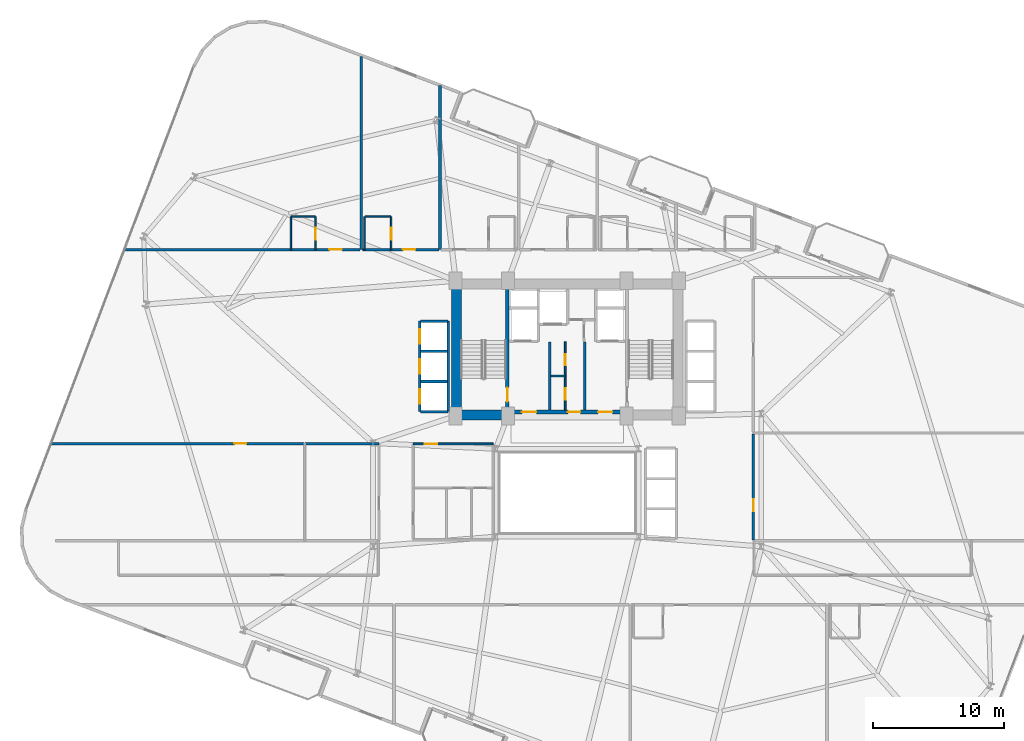
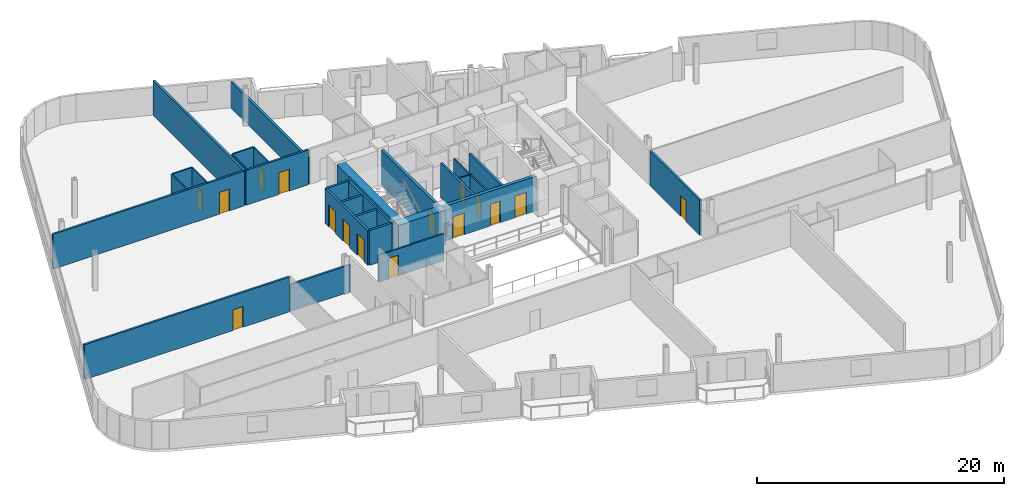
# One storey, part 18 of 24: 28 walls, 16 doors, 16 openings.
"""IFC4 building model written with IfcOpenShell, lengths in metres."""

from ifc_helpers import new_model, si_unit, direction, frame, frame_2d, origin, place, context, subcontext, project, spatial, rectangle, extrude, material, layer, layer_set, type_object, element, fill, save


model = new_model("IFC4")

# Units and contexts
model_context = context("Model", 3, precision=1e-05, world=origin(), true_north=direction((0.0, 1.0)))
body_context = subcontext(model_context, "Body", "Model", "MODEL_VIEW")
ifc_project = project(units=[si_unit("LENGTHUNIT", "METRE"), si_unit("AREAUNIT", "SQUARE_METRE"), si_unit("VOLUMEUNIT", "CUBIC_METRE"), si_unit("PLANEANGLEUNIT", "RADIAN"), si_unit("MASSUNIT", "GRAM", prefix="KILO")], contexts=[model_context])

# Site, building, storey
site_placement = place(None, origin())
site = spatial("IfcSite", under=ifc_project, at=site_placement, CompositionType="ELEMENT")
building_placement = place(site_placement, origin())
building = spatial("IfcBuilding", under=site, at=building_placement, Name="Varnelok Gate Tower", CompositionType="ELEMENT")
storey_placement = place(building_placement, frame((0.0, 0.0, 94.699951171875)))
storey = spatial("IfcBuildingStorey", under=building, at=storey_placement, Name="L23", CompositionType="ELEMENT", Elevation=94.699951171875)

# Wall, opening, door
ifc_material_1 = material(Name="Gypsum Plasterboard Acoustic Partition", Category="gypsum")
ifc_layer_1 = layer(ifc_material_1, 0.179931640625)
ifc_layer_set_1 = layer_set([ifc_layer_1], Name="Gypsum Plasterboard Acoustic Partition")
wall_type_1 = type_object("IfcWallType", Name="PW-CORR-180", PredefinedType="PARTITIONING", material=ifc_layer_set_1)
wall_1_placement = place(storey_placement, frame((5.505859375, 41.429931640625, 0.0), z_axis=(0.0, 0.0, 1.0), x_axis=(1.0, 0.0, 0.0)))
wall_1 = element("IfcWall", 1, at=wall_1_placement, inside=storey, type_object=wall_type_1, Name="Interior Partition", PredefinedType="PARTITIONING", context=body_context, shape_type="SweptSolid", body=[
    extrude(rectangle(XDim=17.9140625, YDim=0.179931640625, at=frame_2d((8.95703125, 0.0))), origin(), (0.0, 0.0, 1.0), 3.449951171875),
])
opening_1_placement = place(wall_1_placement, frame((15.564208984375, 0.0, 0.0)))
opening_1 = element("IfcOpeningElement", 2, at=opening_1_placement, cuts=wall_1, Name="Opening D-HT", PredefinedType="OPENING", context=body_context, shape_type="SweptSolid", body=[
    extrude(rectangle(XDim=0.949951171875, YDim=2.14990234375, at=frame_2d((0.47509765625, 1.074951171875))), frame((0.0, 0.099853515625, 0.0), z_axis=(0.0, -1.0, 0.0), x_axis=(1.0, 0.0, 0.0)), (0.0, 0.0, 1.0), 0.199951171875),
])
ifc_material_2 = material(Name="Engineered Hardwood Timber", Category="wood")
door_type_1 = type_object("IfcDoorType", Name="DR-HTL-950", OperationType="NOTDEFINED", PredefinedType="DOOR", material=ifc_material_2)
door_1_placement = place(opening_1_placement, origin())
door_1 = element("IfcDoor", 3, at=door_1_placement, inside=storey, type_object=door_type_1, Name="L23 Guest Room 05 Entrance Door", OperationType="SINGLE_SWING_RIGHT", OverallHeight=2.14990234375, OverallWidth=0.949951171875, PredefinedType="DOOR", context=body_context, shape_type="SweptSolid", body=[
    extrude(rectangle(XDim=0.949951171875, YDim=2.14990234375, at=frame_2d((0.47509765625, 1.074951171875))), frame((0.0, 0.02490234375, 0.0), z_axis=(0.0, -1.0, 0.0), x_axis=(1.0, 0.0, 0.0)), (0.0, 0.0, 1.0), 0.050048828125),
])
fill(opening_1, door_1)

wall_2_placement = place(storey_placement, frame((23.580078125, 41.429931640625, 0.0), z_axis=(0.0, 0.0, 1.0), x_axis=(1.0, 0.0, 0.0)))
wall_2 = element("IfcWall", 4, at=wall_2_placement, inside=storey, type_object=wall_type_1, Name="Interior Partition", PredefinedType="PARTITIONING", context=body_context, shape_type="SweptSolid", body=[
    extrude(rectangle(XDim=5.83984375, YDim=0.179931640625, at=frame_2d((2.919921875, 0.0))), origin(), (0.0, 0.0, 1.0), 3.449951171875),
])
opening_2_placement = place(wall_2_placement, frame((3.101318359375, 0.0, 0.0)))
opening_2 = element("IfcOpeningElement", 5, at=opening_2_placement, cuts=wall_2, Name="Opening D-HT", PredefinedType="OPENING", context=body_context, shape_type="SweptSolid", body=[
    extrude(rectangle(XDim=0.949951171875, YDim=2.14990234375, at=frame_2d((0.47509765625, 1.074951171875))), frame((0.0, 0.099853515625, 0.0), z_axis=(0.0, -1.0, 0.0), x_axis=(1.0, 0.0, 0.0)), (0.0, 0.0, 1.0), 0.199951171875),
])
door_2_placement = place(opening_2_placement, origin())
door_2 = element("IfcDoor", 6, at=door_2_placement, inside=storey, type_object=door_type_1, Name="L23 Guest Room 06 Entrance Door", OperationType="SINGLE_SWING_LEFT", OverallHeight=2.14990234375, OverallWidth=0.949951171875, PredefinedType="DOOR", context=body_context, shape_type="SweptSolid", body=[
    extrude(rectangle(XDim=0.949951171875, YDim=2.14990234375, at=frame_2d((0.47509765625, 1.074951171875))), frame((0.0, 0.02490234375, 0.0), z_axis=(0.0, -1.0, 0.0), x_axis=(1.0, 0.0, 0.0)), (0.0, 0.0, 1.0), 0.050048828125),
])
fill(opening_2, door_2)

wall_3_placement = place(storey_placement, frame((-0.093505859375, 26.639892578125, 0.0), z_axis=(0.0, 0.0, 1.0), x_axis=(1.0, 0.0, 0.0)))
wall_3 = element("IfcWall", 7, at=wall_3_placement, inside=storey, type_object=wall_type_1, Name="Interior Partition", PredefinedType="PARTITIONING", context=body_context, shape_type="SweptSolid", body=[
    extrude(rectangle(XDim=19.213623046875, YDim=0.179931640625, at=frame_2d((9.60693359375, 0.0))), origin(), (0.0, 0.0, 1.0), 3.449951171875),
])
opening_3_placement = place(wall_3_placement, frame((13.922607421875, 0.0, 0.0)))
opening_3 = element("IfcOpeningElement", 8, at=opening_3_placement, cuts=wall_3, Name="Opening D-I3", PredefinedType="OPENING", context=body_context, shape_type="SweptSolid", body=[
    extrude(rectangle(XDim=0.919921875, YDim=2.050048828125, at=frame_2d((0.4599609375, 1.02490234375))), frame((0.0, 0.099853515625, 0.0), z_axis=(0.0, -1.0, 0.0), x_axis=(1.0, 0.0, 0.0)), (0.0, 0.0, 1.0), 0.199951171875),
])
door_type_2 = type_object("IfcDoorType", Name="DR-INT-920", OperationType="NOTDEFINED", PredefinedType="DOOR", material=ifc_material_2)
door_3_placement = place(opening_3_placement, origin())
door_3 = element("IfcDoor", 9, at=door_3_placement, inside=storey, type_object=door_type_2, Name="L23 West Treatment Door", OperationType="SINGLE_SWING_RIGHT", OverallHeight=2.050048828125, OverallWidth=0.919921875, PredefinedType="DOOR", context=body_context, shape_type="SweptSolid", body=[
    extrude(rectangle(XDim=0.919921875, YDim=2.050048828125, at=frame_2d((0.4599609375, 1.02490234375))), frame((0.0, 0.02490234375, 0.0), z_axis=(0.0, -1.0, 0.0), x_axis=(1.0, 0.0, 0.0)), (0.0, 0.0, 1.0), 0.050048828125),
])
fill(opening_3, door_3)

# Wall
wall_4_placement = place(storey_placement, frame((19.199951171875, 26.639892578125, 0.0), z_axis=(0.0, 0.0, 1.0), x_axis=(1.0, 0.0, 0.0)))
element("IfcWall", 10, at=wall_4_placement, inside=storey, type_object=wall_type_1, Name="Interior Partition", PredefinedType="PARTITIONING", context=body_context, shape_type="SweptSolid", body=[
    extrude(rectangle(XDim=5.650146484375, YDim=0.179931640625, at=frame_2d((2.8251953125, 0.0))), origin(), (0.0, 0.0, 1.0), 2.662109375),
])

# Wall, opening, door
wall_5_placement = place(storey_placement, frame((53.389892578125, 19.300048828125, 0.0), z_axis=(0.0, 0.0, 1.0), x_axis=(0.0, 1.0, 0.0)))
wall_5 = element("IfcWall", 11, at=wall_5_placement, inside=storey, type_object=wall_type_1, Name="Interior Partition", PredefinedType="PARTITIONING", context=body_context, shape_type="SweptSolid", body=[
    extrude(rectangle(XDim=8.070068359375, YDim=0.179931640625, at=frame_2d((4.03515625, 0.0))), origin(), (0.0, 0.0, 1.0), 3.449951171875),
])
opening_4_placement = place(wall_5_placement, frame((2.199951171875, 0.0, 0.0)))
opening_4 = element("IfcOpeningElement", 12, at=opening_4_placement, cuts=wall_5, Name="Opening D-I3", PredefinedType="OPENING", context=body_context, shape_type="SweptSolid", body=[
    extrude(rectangle(XDim=0.919921875, YDim=2.050048828125, at=frame_2d((0.4599609375, 1.02490234375))), frame((0.0, 0.099853515625, 0.0), z_axis=(0.0, -1.0, 0.0), x_axis=(1.0, 0.0, 0.0)), (0.0, 0.0, 1.0), 0.199951171875),
])
door_4_placement = place(opening_4_placement, origin())
door_4 = element("IfcDoor", 13, at=door_4_placement, inside=storey, type_object=door_type_2, Name="L23 East Suite 1 Door", OperationType="SINGLE_SWING_LEFT", OverallHeight=2.050048828125, OverallWidth=0.919921875, PredefinedType="DOOR", context=body_context, shape_type="SweptSolid", body=[
    extrude(rectangle(XDim=0.919921875, YDim=2.050048828125, at=frame_2d((0.4599609375, 1.02490234375))), frame((0.0, 0.02490234375, 0.0), z_axis=(0.0, -1.0, 0.0), x_axis=(1.0, 0.0, 0.0)), (0.0, 0.0, 1.0), 0.050048828125),
])
fill(opening_4, door_4)

# Wall
ifc_layer_2 = layer(ifc_material_1, 0.114990234375)
ifc_layer_set_2 = layer_set([ifc_layer_2], Name="Gypsum Plasterboard Acoustic Partition")
wall_type_2 = type_object("IfcWallType", Name="PW-ENS-125", PredefinedType="PARTITIONING", material=ifc_layer_set_2)
wall_6_placement = place(storey_placement, frame((18.179931640625, 43.949951171875, 0.0), z_axis=(0.0, 0.0, 1.0), x_axis=(1.0, 0.0, 0.0)))
element("IfcWall", 14, at=wall_6_placement, inside=storey, type_object=wall_type_2, Name="Interior Partition", PredefinedType="PARTITIONING", context=body_context, shape_type="SweptSolid", body=[
    extrude(rectangle(XDim=1.807373046875, YDim=0.114990234375, at=frame_2d((0.90380859375, 0.0))), origin(), (0.0, 0.0, 1.0), 3.449951171875),
])

# Wall, opening, door
wall_7_placement = place(storey_placement, frame((20.027099609375, 41.429931640625, 0.0), z_axis=(0.0, 0.0, 1.0), x_axis=(0.0, 1.0, 0.0)))
wall_7 = element("IfcWall", 15, at=wall_7_placement, inside=storey, type_object=wall_type_2, Name="Interior Partition", PredefinedType="PARTITIONING", context=body_context, shape_type="SweptSolid", body=[
    extrude(rectangle(XDim=2.52001953125, YDim=0.114990234375, at=frame_2d((1.260009765625, 0.0))), origin(), (0.0, 0.0, 1.0), 3.449951171875),
])
opening_5_placement = place(wall_7_placement, frame((0.760009765625, 0.0, 0.0)))
opening_5 = element("IfcOpeningElement", 16, at=opening_5_placement, cuts=wall_7, Name="Opening D-WC", PredefinedType="OPENING", context=body_context, shape_type="SweptSolid", body=[
    extrude(rectangle(XDim=0.89990234375, YDim=2.050048828125, at=frame_2d((0.449951171875, 1.02490234375))), frame((0.0, 0.0673828125, 0.0), z_axis=(0.0, -1.0, 0.0), x_axis=(1.0, 0.0, 0.0)), (0.0, 0.0, 1.0), 0.135009765625),
])
door_type_3 = type_object("IfcDoorType", Name="DR-BATH-900", OperationType="NOTDEFINED", PredefinedType="DOOR", material=ifc_material_2)
door_5_placement = place(opening_5_placement, origin())
door_5 = element("IfcDoor", 17, at=door_5_placement, inside=storey, type_object=door_type_3, Name="L23 North En-Suite 05 Door", OperationType="SINGLE_SWING_RIGHT", OverallHeight=2.050048828125, OverallWidth=0.89990234375, PredefinedType="DOOR", context=body_context, shape_type="SweptSolid", body=[
    extrude(rectangle(XDim=0.89990234375, YDim=2.050048828125, at=frame_2d((0.449951171875, 1.02490234375))), frame((0.0, 0.02490234375, 0.0), z_axis=(0.0, -1.0, 0.0), x_axis=(1.0, 0.0, 0.0)), (0.0, 0.0, 1.0), 0.050048828125),
])
fill(opening_5, door_5)

# Walls
wall_8_placement = place(storey_placement, frame((18.139892578125, 41.429931640625, 0.0), z_axis=(0.0, 0.0, 1.0), x_axis=(0.0, 1.0, 0.0)))
element("IfcWall", 18, at=wall_8_placement, inside=storey, type_object=wall_type_2, Name="Interior Partition", PredefinedType="PARTITIONING", context=body_context, shape_type="SweptSolid", body=[
    extrude(rectangle(XDim=2.52001953125, YDim=0.114990234375, at=frame_2d((1.260009765625, 0.0))), origin(), (0.0, 0.0, 1.0), 3.449951171875),
])
wall_9_placement = place(storey_placement, frame((23.800048828125, 43.949951171875, 0.0), z_axis=(0.0, 0.0, 1.0), x_axis=(1.0, 0.0, 0.0)))
element("IfcWall", 19, at=wall_9_placement, inside=storey, type_object=wall_type_2, Name="Interior Partition", PredefinedType="PARTITIONING", context=body_context, shape_type="SweptSolid", body=[
    extrude(rectangle(XDim=1.94384765625, YDim=0.114990234375, at=frame_2d((0.971923828125, 0.0))), origin(), (0.0, 0.0, 1.0), 3.449951171875),
])

# Wall, opening, door
wall_10_placement = place(storey_placement, frame((25.783935546875, 41.429931640625, 0.0), z_axis=(0.0, 0.0, 1.0), x_axis=(0.0, 1.0, 0.0)))
wall_10 = element("IfcWall", 20, at=wall_10_placement, inside=storey, type_object=wall_type_2, Name="Interior Partition", PredefinedType="PARTITIONING", context=body_context, shape_type="SweptSolid", body=[
    extrude(rectangle(XDim=2.52001953125, YDim=0.114990234375, at=frame_2d((1.260009765625, 0.0))), origin(), (0.0, 0.0, 1.0), 3.449951171875),
])
opening_6_placement = place(wall_10_placement, frame((0.760009765625, 0.0, 0.0)))
opening_6 = element("IfcOpeningElement", 21, at=opening_6_placement, cuts=wall_10, Name="Opening D-WC", PredefinedType="OPENING", context=body_context, shape_type="SweptSolid", body=[
    extrude(rectangle(XDim=0.89990234375, YDim=2.050048828125, at=frame_2d((0.449951171875, 1.02490234375))), frame((0.0, 0.0673828125, 0.0), z_axis=(0.0, -1.0, 0.0), x_axis=(1.0, 0.0, 0.0)), (0.0, 0.0, 1.0), 0.135009765625),
])
door_6_placement = place(opening_6_placement, origin())
door_6 = element("IfcDoor", 22, at=door_6_placement, inside=storey, type_object=door_type_3, Name="L23 North En-Suite 06 Door", OperationType="SINGLE_SWING_RIGHT", OverallHeight=2.050048828125, OverallWidth=0.89990234375, PredefinedType="DOOR", context=body_context, shape_type="SweptSolid", body=[
    extrude(rectangle(XDim=0.89990234375, YDim=2.050048828125, at=frame_2d((0.449951171875, 1.02490234375))), frame((0.0, 0.02490234375, 0.0), z_axis=(0.0, -1.0, 0.0), x_axis=(1.0, 0.0, 0.0)), (0.0, 0.0, 1.0), 0.050048828125),
])
fill(opening_6, door_6)

# Walls
wall_11_placement = place(storey_placement, frame((23.760009765625, 41.429931640625, 0.0), z_axis=(0.0, 0.0, 1.0), x_axis=(0.0, 1.0, 0.0)))
element("IfcWall", 23, at=wall_11_placement, inside=storey, type_object=wall_type_2, Name="Interior Partition", PredefinedType="PARTITIONING", context=body_context, shape_type="SweptSolid", body=[
    extrude(rectangle(XDim=2.52001953125, YDim=0.114990234375, at=frame_2d((1.260009765625, 0.0))), origin(), (0.0, 0.0, 1.0), 3.449951171875),
])
ifc_layer_3 = layer(ifc_material_1, 0.125)
ifc_layer_set_3 = layer_set([ifc_layer_3], Name="Gypsum Plasterboard Acoustic Partition")
wall_type_3 = type_object("IfcWallType", Name="PW-PART-125", PredefinedType="PARTITIONING", material=ifc_layer_set_3)
wall_12_placement = place(storey_placement, frame((37.9599609375, 31.800048828125, 0.0), z_axis=(0.0, 0.0, 1.0), x_axis=(1.0, 0.0, 0.0)))
element("IfcWall", 24, at=wall_12_placement, inside=storey, type_object=wall_type_3, Name="Interior Partition", PredefinedType="PARTITIONING", context=body_context, shape_type="SweptSolid", body=[
    extrude(rectangle(XDim=1.090087890625, YDim=0.125, at=frame_2d((0.544921875, 0.0))), origin(), (0.0, 0.0, 1.0), 3.449951171875),
])

# Wall, openings, doors
wall_13_placement = place(storey_placement, frame((39.050048828125, 29.199951171875, 0.0), z_axis=(0.0, 0.0, 1.0), x_axis=(0.0, 1.0, 0.0)))
wall_13 = element("IfcWall", 25, at=wall_13_placement, inside=storey, type_object=wall_type_3, Name="Interior Partition", PredefinedType="PARTITIONING", context=body_context, shape_type="SweptSolid", body=[
    extrude(rectangle(XDim=5.219970703125, YDim=0.125, at=frame_2d((2.60986328125, 0.0))), origin(), (0.0, 0.0, 1.0), 3.449951171875),
])
opening_7_placement = place(wall_13_placement, frame((0.800048828125, 0.0, 0.0)))
opening_7 = element("IfcOpeningElement", 26, at=opening_7_placement, cuts=wall_13, Name="Opening D-RS", PredefinedType="OPENING", context=body_context, shape_type="SweptSolid", body=[
    extrude(rectangle(XDim=0.85009765625, YDim=2.050048828125, at=frame_2d((0.425048828125, 1.02490234375))), frame((0.0, 0.072509765625, 0.0), z_axis=(0.0, -1.0, 0.0), x_axis=(1.0, 0.0, 0.0)), (0.0, 0.0, 1.0), 0.14501953125),
])
opening_8_placement = place(wall_13_placement, frame((3.39990234375, 0.0, 0.0)))
opening_8 = element("IfcOpeningElement", 27, at=opening_8_placement, cuts=wall_13, Name="Opening D-RS", PredefinedType="OPENING", context=body_context, shape_type="SweptSolid", body=[
    extrude(rectangle(XDim=0.85009765625, YDim=2.050048828125, at=frame_2d((0.425048828125, 1.02490234375))), frame((0.0, 0.072509765625, 0.0), z_axis=(0.0, -1.0, 0.0), x_axis=(1.0, 0.0, 0.0)), (0.0, 0.0, 1.0), 0.14501953125),
])
ifc_material_3 = material(Name="Galvanized Steel Grade S350GD", Category="steel")
door_type_4 = type_object("IfcDoorType", Name="DR-RISER-850", OperationType="NOTDEFINED", PredefinedType="DOOR", material=ifc_material_3)
door_7_placement = place(opening_7_placement, origin())
door_7 = element("IfcDoor", 28, at=door_7_placement, inside=storey, type_object=door_type_4, Name="L23 Housekeeping Linen Door", OperationType="SINGLE_SWING_LEFT", OverallHeight=2.050048828125, OverallWidth=0.85009765625, PredefinedType="DOOR", context=body_context, shape_type="SweptSolid", body=[
    extrude(rectangle(XDim=0.85009765625, YDim=2.050048828125, at=frame_2d((0.425048828125, 1.02490234375))), frame((0.0, 0.02490234375, 0.0), z_axis=(0.0, -1.0, 0.0), x_axis=(1.0, 0.0, 0.0)), (0.0, 0.0, 1.0), 0.050048828125),
])
fill(opening_7, door_7)
door_8_placement = place(opening_8_placement, origin())
door_8 = element("IfcDoor", 29, at=door_8_placement, inside=storey, type_object=door_type_4, Name="L23 Janitor Sink Door", OperationType="SINGLE_SWING_RIGHT", OverallHeight=2.050048828125, OverallWidth=0.85009765625, PredefinedType="DOOR", context=body_context, shape_type="SweptSolid", body=[
    extrude(rectangle(XDim=0.85009765625, YDim=2.050048828125, at=frame_2d((0.425048828125, 1.02490234375))), frame((0.0, 0.02490234375, 0.0), z_axis=(0.0, -1.0, 0.0), x_axis=(1.0, 0.0, 0.0)), (0.0, 0.0, 1.0), 0.050048828125),
])
fill(opening_8, door_8)

# Wall, opening, door
ifc_layer_4 = layer(ifc_material_1, 0.14990234375)
ifc_layer_set_4 = layer_set([ifc_layer_4], Name="Gypsum Plasterboard Acoustic Partition")
wall_type_4 = type_object("IfcWallType", Name="PW-PART-150", PredefinedType="PARTITIONING", material=ifc_layer_set_4)
wall_14_placement = place(storey_placement, frame((27.4599609375, 26.6201171875, 0.0), z_axis=(0.0, 0.0, 1.0), x_axis=(1.0, 0.0, 0.0)))
wall_14 = element("IfcWall", 30, at=wall_14_placement, inside=storey, type_object=wall_type_4, Name="Interior Partition", PredefinedType="PARTITIONING", context=body_context, shape_type="SweptSolid", body=[
    extrude(rectangle(XDim=6.10009765625, YDim=0.14990234375, at=frame_2d((3.050048828125, 0.0))), origin(), (0.0, 0.0, 1.0), 2.662109375),
])
opening_9_placement = place(wall_14_placement, frame((0.8896484375, 0.0, 0.0)))
opening_9 = element("IfcOpeningElement", 31, at=opening_9_placement, cuts=wall_14, Name="Opening D-I2", PredefinedType="OPENING", context=body_context, shape_type="SweptSolid", body=[
    extrude(rectangle(XDim=0.949951171875, YDim=2.050048828125, at=frame_2d((0.47509765625, 1.02490234375))), frame((0.0, 0.0849609375, 0.0), z_axis=(0.0, -1.0, 0.0), x_axis=(1.0, 0.0, 0.0)), (0.0, 0.0, 1.0), 0.169921875),
])
door_type_5 = type_object("IfcDoorType", Name="DR-INT-950", OperationType="NOTDEFINED", PredefinedType="DOOR", material=ifc_material_2)
door_9_placement = place(opening_9_placement, origin())
door_9 = element("IfcDoor", 32, at=door_9_placement, inside=storey, type_object=door_type_5, Name="L23 Children Playroom Door", OperationType="SINGLE_SWING_LEFT", OverallHeight=2.050048828125, OverallWidth=0.949951171875, PredefinedType="DOOR", context=body_context, shape_type="SweptSolid", body=[
    extrude(rectangle(XDim=0.949951171875, YDim=2.050048828125, at=frame_2d((0.47509765625, 1.02490234375))), frame((0.0, 0.02490234375, 0.0), z_axis=(0.0, -1.0, 0.0), x_axis=(1.0, 0.0, 0.0)), (0.0, 0.0, 1.0), 0.050048828125),
])
fill(opening_9, door_9)

# Walls
ifc_layer_5 = layer(ifc_material_1, 0.205078125)
ifc_layer_set_5 = layer_set([ifc_layer_5], Name="Gypsum Plasterboard Acoustic Partition")
wall_type_5 = type_object("IfcWallType", Name="PW-PARTY-200", PredefinedType="PARTITIONING", material=ifc_layer_set_5)
wall_15_placement = place(storey_placement, frame((23.5, 41.429931640625, 0.0), z_axis=(0.0, 0.0, 1.0), x_axis=(0.0, 1.0, 0.0)))
element("IfcWall", 33, at=wall_15_placement, inside=storey, type_object=wall_type_5, Name="L23 North Party Wall 1", PredefinedType="PARTITIONING", context=body_context, shape_type="SweptSolid", body=[
    extrude(rectangle(XDim=14.708251953125, YDim=0.205078125, at=frame_2d((7.35400390625, 0.0))), origin(), (0.0, 0.0, 1.0), 3.449951171875),
])
wall_16_placement = place(storey_placement, frame((29.5, 41.429931640625, 0.0), z_axis=(0.0, 0.0, 1.0), x_axis=(0.0, 1.0, 0.0)))
element("IfcWall", 34, at=wall_16_placement, inside=storey, type_object=wall_type_5, Name="L23 North Party Wall 2", PredefinedType="PARTITIONING", context=body_context, shape_type="SweptSolid", body=[
    extrude(rectangle(XDim=12.520263671875, YDim=0.205078125, at=frame_2d((6.26025390625, 0.0))), origin(), (0.0, 0.0, 1.0), 2.580078125),
])
ifc_material_4 = material(Name="Concrete C35/45", Category="concrete")
ifc_layer_6 = layer(ifc_material_4, 0.199951171875)
ifc_layer_set_6 = layer_set([ifc_layer_6], Name="Concrete C35/45")
wall_type_6 = type_object("IfcWallType", Name="PW-SHAFT-200", PredefinedType="PARTITIONING", material=ifc_layer_set_6)
for number, where, z_axis, x_axis, name in (
    (35, (37.860107421875, 29.199951171875, 0.0), (0.0, 0.0, 1.0), (0.0, 1.0, 0.0), "L23 West FF Lobby Rated Wall"),
    (36, (40.5400390625, 29.199951171875, 0.0), (0.0, 0.0, 1.0), (0.0, 1.0, 0.0), "L23 East FF Lobby Rated Wall"),
):
    element("IfcWall", number, at=place(storey_placement, frame(where, z_axis=z_axis, x_axis=x_axis)), inside=storey, type_object=wall_type_6, Name=name, PredefinedType="PARTITIONING", context=body_context, shape_type="SweptSolid", body=[
        extrude(rectangle(XDim=5.179931640625, YDim=0.199951171875, at=frame_2d((2.58984375, 0.0))), origin(), (0.0, 0.0, 1.0), 3.449951171875),
    ])
for number, where, z_axis, x_axis, name in (
    (37, (28.02001953125, 31.375, 0.0), (0.0, 0.0, 1.0), (1.0, 0.0, 0.0), "L23 PL1 Divider"),
    (38, (28.02001953125, 33.675048828125, 0.0), (0.0, 0.0, 1.0), (1.0, 0.0, 0.0), "L23 PL2 Divider"),
):
    element("IfcWall", number, at=place(storey_placement, frame(where, z_axis=z_axis, x_axis=x_axis)), inside=storey, type_object=wall_type_6, Name=name, PredefinedType="PARTITIONING", context=body_context, shape_type="SweptSolid", body=[
        extrude(rectangle(XDim=2.06005859375, YDim=0.199951171875, at=frame_2d((1.030029296875, 0.0))), origin(), (0.0, 0.0, 1.0), 3.449951171875),
    ])
for number, where, z_axis, x_axis, name in (
    (39, (28.0, 29.080078125, 0.0), (0.0, 0.0, 1.0), (1.0, 0.0, 0.0), "L23 PL Bank South Wall"),
    (40, (28.0, 35.969970703125, 0.0), (0.0, 0.0, 1.0), (1.0, 0.0, 0.0), "L23 PL Bank North Wall"),
):
    element("IfcWall", number, at=place(storey_placement, frame(where, z_axis=z_axis, x_axis=x_axis)), inside=storey, type_object=wall_type_6, Name=name, PredefinedType="PARTITIONING", context=body_context, shape_type="SweptSolid", body=[
        extrude(rectangle(XDim=2.10009765625, YDim=0.199951171875, at=frame_2d((1.050048828125, 0.0))), origin(), (0.0, 0.0, 1.0), 3.449951171875),
    ])
wall_17_placement = place(storey_placement, frame((30.1201171875, 29.080078125, 0.0), z_axis=(0.0, 0.0, 1.0), x_axis=(0.0, 1.0, 0.0)))
element("IfcWall", 41, at=wall_17_placement, inside=storey, type_object=wall_type_6, Name="L23 PL Bank Back Wall", PredefinedType="PARTITIONING", context=body_context, shape_type="SweptSolid", body=[
    extrude(rectangle(XDim=6.889892578125, YDim=0.199951171875, at=frame_2d((3.44482421875, 0.0))), origin(), (0.0, 0.0, 1.0), 3.449951171875),
])

# Wall, openings, doors
wall_18_placement = place(storey_placement, frame((27.9599609375, 29.080078125, 0.0), z_axis=(0.0, 0.0, 1.0), x_axis=(0.0, 1.0, 0.0)))
wall_18 = element("IfcWall", 42, at=wall_18_placement, inside=storey, type_object=wall_type_6, Name="L23 PL Bank Front Wall", PredefinedType="PARTITIONING", context=body_context, shape_type="SweptSolid", body=[
    extrude(rectangle(XDim=6.889892578125, YDim=0.199951171875, at=frame_2d((3.44482421875, 0.0))), origin(), (0.0, 0.0, 1.0), 3.449951171875),
])
opening_10_placement = place(wall_18_placement, frame((0.590087890625, 0.0, 0.0)))
opening_10 = element("IfcOpeningElement", 43, at=opening_10_placement, cuts=wall_18, Name="Opening LD-PL1", PredefinedType="OPENING", context=body_context, shape_type="SweptSolid", body=[
    extrude(rectangle(XDim=1.10009765625, YDim=2.14990234375, at=frame_2d((0.550048828125, 1.074951171875))), frame((0.0, 0.10986328125, 0.0), z_axis=(0.0, -1.0, 0.0), x_axis=(1.0, 0.0, 0.0)), (0.0, 0.0, 1.0), 0.219970703125),
])
opening_11_placement = place(wall_18_placement, frame((2.889892578125, 0.0, 0.0)))
opening_11 = element("IfcOpeningElement", 44, at=opening_11_placement, cuts=wall_18, Name="Opening LD-PL2", PredefinedType="OPENING", context=body_context, shape_type="SweptSolid", body=[
    extrude(rectangle(XDim=1.10009765625, YDim=2.14990234375, at=frame_2d((0.550048828125, 1.074951171875))), frame((0.0, 0.10986328125, 0.0), z_axis=(0.0, -1.0, 0.0), x_axis=(1.0, 0.0, 0.0)), (0.0, 0.0, 1.0), 0.219970703125),
])
opening_12_placement = place(wall_18_placement, frame((5.18994140625, 0.0, 0.0)))
opening_12 = element("IfcOpeningElement", 45, at=opening_12_placement, cuts=wall_18, Name="Opening LD-PL3", PredefinedType="OPENING", context=body_context, shape_type="SweptSolid", body=[
    extrude(rectangle(XDim=1.10009765625, YDim=2.14990234375, at=frame_2d((0.550048828125, 1.074951171875))), frame((0.0, 0.10986328125, 0.0), z_axis=(0.0, -1.0, 0.0), x_axis=(1.0, 0.0, 0.0)), (0.0, 0.0, 1.0), 0.219970703125),
])
door_type_6 = type_object("IfcDoorType", Name="DR-LIFT-PAX1100", OperationType="SLIDING_TO_LEFT", PredefinedType="DOOR", material=ifc_material_3)
door_10_placement = place(opening_10_placement, origin())
door_10 = element("IfcDoor", 46, at=door_10_placement, inside=storey, type_object=door_type_6, Name="L23 Passenger Lift Landing Door LD-PL1", OperationType="SLIDING_TO_LEFT", OverallHeight=2.14990234375, OverallWidth=1.10009765625, PredefinedType="DOOR", context=body_context, shape_type="SweptSolid", body=[
    extrude(rectangle(XDim=1.10009765625, YDim=2.14990234375, at=frame_2d((0.550048828125, 1.074951171875))), frame((0.0, 0.02490234375, 0.0), z_axis=(0.0, -1.0, 0.0), x_axis=(1.0, 0.0, 0.0)), (0.0, 0.0, 1.0), 0.050048828125),
])
fill(opening_10, door_10)
door_11_placement = place(opening_11_placement, origin())
door_11 = element("IfcDoor", 47, at=door_11_placement, inside=storey, type_object=door_type_6, Name="L23 Passenger Lift Landing Door LD-PL2", OperationType="SLIDING_TO_LEFT", OverallHeight=2.14990234375, OverallWidth=1.10009765625, PredefinedType="DOOR", context=body_context, shape_type="SweptSolid", body=[
    extrude(rectangle(XDim=1.10009765625, YDim=2.14990234375, at=frame_2d((0.550048828125, 1.074951171875))), frame((0.0, 0.02490234375, 0.0), z_axis=(0.0, -1.0, 0.0), x_axis=(1.0, 0.0, 0.0)), (0.0, 0.0, 1.0), 0.050048828125),
])
fill(opening_11, door_11)
door_12_placement = place(opening_12_placement, origin())
door_12 = element("IfcDoor", 48, at=door_12_placement, inside=storey, type_object=door_type_6, Name="L23 Passenger Lift Landing Door LD-PL3", OperationType="SLIDING_TO_LEFT", OverallHeight=2.14990234375, OverallWidth=1.10009765625, PredefinedType="DOOR", context=body_context, shape_type="SweptSolid", body=[
    extrude(rectangle(XDim=1.10009765625, YDim=2.14990234375, at=frame_2d((0.550048828125, 1.074951171875))), frame((0.0, 0.02490234375, 0.0), z_axis=(0.0, -1.0, 0.0), x_axis=(1.0, 0.0, 0.0)), (0.0, 0.0, 1.0), 0.050048828125),
])
fill(opening_12, door_12)

# Walls
ifc_material_5 = material(Name="Concrete C70/85", Category="concrete")
ifc_layer_7 = layer(ifc_material_5, 0.75)
ifc_layer_set_7 = layer_set([ifc_layer_7], Name="Concrete C70/85")
wall_type_7 = type_object("IfcWallType", Name="SW-CORE-750", PredefinedType="SHEAR", material=ifc_layer_set_7)
wall_19_placement = place(storey_placement, frame((30.7548828125, 29.199951171875, 0.0), z_axis=(0.0, 0.0, 1.0), x_axis=(0.0, 1.0, 0.0)))
element("IfcWall", 49, at=wall_19_placement, inside=storey, type_object=wall_type_7, Name="L23 Rear Core West Shear Wall", PredefinedType="SHEAR", context=body_context, shape_type="SweptSolid", body=[
    extrude(rectangle(XDim=9.219970703125, YDim=0.75, at=frame_2d((4.60986328125, 0.0))), origin(), (0.0, 0.0, 1.0), 3.449951171875),
])
wall_20_placement = place(storey_placement, frame((30.3798828125, 28.824951171875, 0.0), z_axis=(0.0, 0.0, 1.0), x_axis=(1.0, 0.0, 0.0)))
element("IfcWall", 50, at=wall_20_placement, inside=storey, type_object=wall_type_7, Name="L23 Rear Core South-West Shear Wall", PredefinedType="SHEAR", context=body_context, shape_type="SweptSolid", body=[
    extrude(rectangle(XDim=4.420166015625, YDim=0.75, at=frame_2d((2.2099609375, 0.0))), origin(), (0.0, 0.0, 1.0), 3.449951171875),
])

# Wall, opening, door
ifc_material_6 = material(Name="Concrete C60/75", Category="concrete")
ifc_layer_8 = layer(ifc_material_6, 0.25)
ifc_layer_set_8 = layer_set([ifc_layer_8], Name="Concrete C60/75")
wall_type_8 = type_object("IfcWallType", Name="SW-SHAFT-250", PredefinedType="SHEAR", material=ifc_layer_set_8)
wall_21_placement = place(storey_placement, frame((34.639892578125, 29.199951171875, 0.0), z_axis=(0.0, 0.0, 1.0), x_axis=(0.0, 1.0, 0.0)))
wall_21 = element("IfcWall", 51, at=wall_21_placement, inside=storey, type_object=wall_type_8, Name="L23 Stair ST-1 East Shear Wall", PredefinedType="SHEAR", context=body_context, shape_type="SweptSolid", body=[
    extrude(rectangle(XDim=9.219970703125, YDim=0.25, at=frame_2d((4.60986328125, 0.0))), origin(), (0.0, 0.0, 1.0), 3.449951171875),
])
opening_13_placement = place(wall_21_placement, frame((0.64990234375, 0.0, 0.0)))
opening_13 = element("IfcOpeningElement", 52, at=opening_13_placement, cuts=wall_21, Name="Opening D-ST", PredefinedType="OPENING", context=body_context, shape_type="SweptSolid", body=[
    extrude(rectangle(XDim=1.050048828125, YDim=2.14990234375, at=frame_2d((0.52490234375, 1.074951171875))), frame((0.0, 0.135009765625, 0.0), z_axis=(0.0, -1.0, 0.0), x_axis=(1.0, 0.0, 0.0)), (0.0, 0.0, 1.0), 0.27001953125),
])
door_type_7 = type_object("IfcDoorType", Name="DR-STAIR-1050", OperationType="NOTDEFINED", PredefinedType="DOOR", material=ifc_material_3)
door_13_placement = place(opening_13_placement, origin())
door_13 = element("IfcDoor", 53, at=door_13_placement, inside=storey, type_object=door_type_7, Name="L23 Exit Stair ST-1 Fire Door", OperationType="SINGLE_SWING_LEFT", OverallHeight=2.14990234375, OverallWidth=1.050048828125, PredefinedType="DOOR", context=body_context, shape_type="SweptSolid", body=[
    extrude(rectangle(XDim=1.050048828125, YDim=2.14990234375, at=frame_2d((0.52490234375, 1.074951171875))), frame((0.0, 0.02490234375, 0.0), z_axis=(0.0, -1.0, 0.0), x_axis=(1.0, 0.0, 0.0)), (0.0, 0.0, 1.0), 0.050048828125),
])
fill(opening_13, door_13)

# Wall, openings, doors
ifc_layer_9 = layer(ifc_material_6, 0.300048828125)
ifc_layer_set_9 = layer_set([ifc_layer_9], Name="Concrete C60/75")
wall_type_9 = type_object("IfcWallType", Name="SW-SHAFT-300", PredefinedType="SHEAR", material=ifc_layer_set_9)
wall_22_placement = place(storey_placement, frame((34.800048828125, 29.050048828125, 0.0), z_axis=(0.0, 0.0, 1.0), x_axis=(1.0, 0.0, 0.0)))
wall_22 = element("IfcWall", 54, at=wall_22_placement, inside=storey, type_object=wall_type_9, Name="L23 Rear Core Central Lobby Shear Wall", PredefinedType="SHEAR", context=body_context, shape_type="SweptSolid", body=[
    extrude(rectangle(XDim=8.800048828125, YDim=0.300048828125, at=frame_2d((4.39990234375, 0.0))), origin(), (0.0, 0.0, 1.0), 3.449951171875),
])
opening_14_placement = place(wall_22_placement, frame((0.949951171875, 0.0, 0.0)))
opening_14 = element("IfcOpeningElement", 55, at=opening_14_placement, cuts=wall_22, Name="Opening D-FF", PredefinedType="OPENING", context=body_context, shape_type="SweptSolid", body=[
    extrude(rectangle(XDim=1.10009765625, YDim=2.14990234375, at=frame_2d((0.550048828125, 1.074951171875))), frame((0.0, 0.159912109375, 0.0), z_axis=(0.0, -1.0, 0.0), x_axis=(1.0, 0.0, 0.0)), (0.0, 0.0, 1.0), 0.320068359375),
])
opening_15_placement = place(wall_22_placement, frame((6.75, 0.0, 0.0)))
opening_15 = element("IfcOpeningElement", 56, at=opening_15_placement, cuts=wall_22, Name="Opening D-FF", PredefinedType="OPENING", context=body_context, shape_type="SweptSolid", body=[
    extrude(rectangle(XDim=1.10009765625, YDim=2.14990234375, at=frame_2d((0.550048828125, 1.074951171875))), frame((0.0, 0.159912109375, 0.0), z_axis=(0.0, -1.0, 0.0), x_axis=(1.0, 0.0, 0.0)), (0.0, 0.0, 1.0), 0.320068359375),
])
opening_16_placement = place(wall_22_placement, frame((4.449951171875, 0.0, 0.0)))
opening_16 = element("IfcOpeningElement", 57, at=opening_16_placement, cuts=wall_22, Name="Opening D-CR", PredefinedType="OPENING", context=body_context, shape_type="SweptSolid", body=[
    extrude(rectangle(XDim=0.949951171875, YDim=2.14990234375, at=frame_2d((0.47509765625, 1.074951171875))), frame((0.0, 0.159912109375, 0.0), z_axis=(0.0, -1.0, 0.0), x_axis=(1.0, 0.0, 0.0)), (0.0, 0.0, 1.0), 0.320068359375),
])
door_type_8 = type_object("IfcDoorType", Name="DR-CORR-950", OperationType="NOTDEFINED", PredefinedType="DOOR", material=ifc_material_3)
door_14_placement = place(opening_16_placement, origin())
door_14 = element("IfcDoor", 58, at=door_14_placement, inside=storey, type_object=door_type_8, Name="L23 Core Service Passage Door", OperationType="SINGLE_SWING_LEFT", OverallHeight=2.14990234375, OverallWidth=0.949951171875, PredefinedType="DOOR", context=body_context, shape_type="SweptSolid", body=[
    extrude(rectangle(XDim=0.949951171875, YDim=2.14990234375, at=frame_2d((0.47509765625, 1.074951171875))), frame((0.0, 0.02490234375, 0.0), z_axis=(0.0, -1.0, 0.0), x_axis=(1.0, 0.0, 0.0)), (0.0, 0.0, 1.0), 0.050048828125),
])
fill(opening_16, door_14)
door_type_9 = type_object("IfcDoorType", Name="DR-FFLOB-1100", OperationType="NOTDEFINED", PredefinedType="DOOR", material=ifc_material_3)
door_15_placement = place(opening_14_placement, origin())
door_15 = element("IfcDoor", 59, at=door_15_placement, inside=storey, type_object=door_type_9, Name="L23 West Firefighting Lobby Fire Door", OperationType="SINGLE_SWING_RIGHT", OverallHeight=2.14990234375, OverallWidth=1.10009765625, PredefinedType="DOOR", context=body_context, shape_type="SweptSolid", body=[
    extrude(rectangle(XDim=1.10009765625, YDim=2.14990234375, at=frame_2d((0.550048828125, 1.074951171875))), frame((0.0, 0.02490234375, 0.0), z_axis=(0.0, -1.0, 0.0), x_axis=(1.0, 0.0, 0.0)), (0.0, 0.0, 1.0), 0.050048828125),
])
fill(opening_14, door_15)
door_16_placement = place(opening_15_placement, origin())
door_16 = element("IfcDoor", 60, at=door_16_placement, inside=storey, type_object=door_type_9, Name="L23 East Firefighting Lobby Fire Door", OperationType="SINGLE_SWING_LEFT", OverallHeight=2.14990234375, OverallWidth=1.10009765625, PredefinedType="DOOR", context=body_context, shape_type="SweptSolid", body=[
    extrude(rectangle(XDim=1.10009765625, YDim=2.14990234375, at=frame_2d((0.550048828125, 1.074951171875))), frame((0.0, 0.02490234375, 0.0), z_axis=(0.0, -1.0, 0.0), x_axis=(1.0, 0.0, 0.0)), (0.0, 0.0, 1.0), 0.050048828125),
])
fill(opening_15, door_16)

save(model, "model.ifc")
